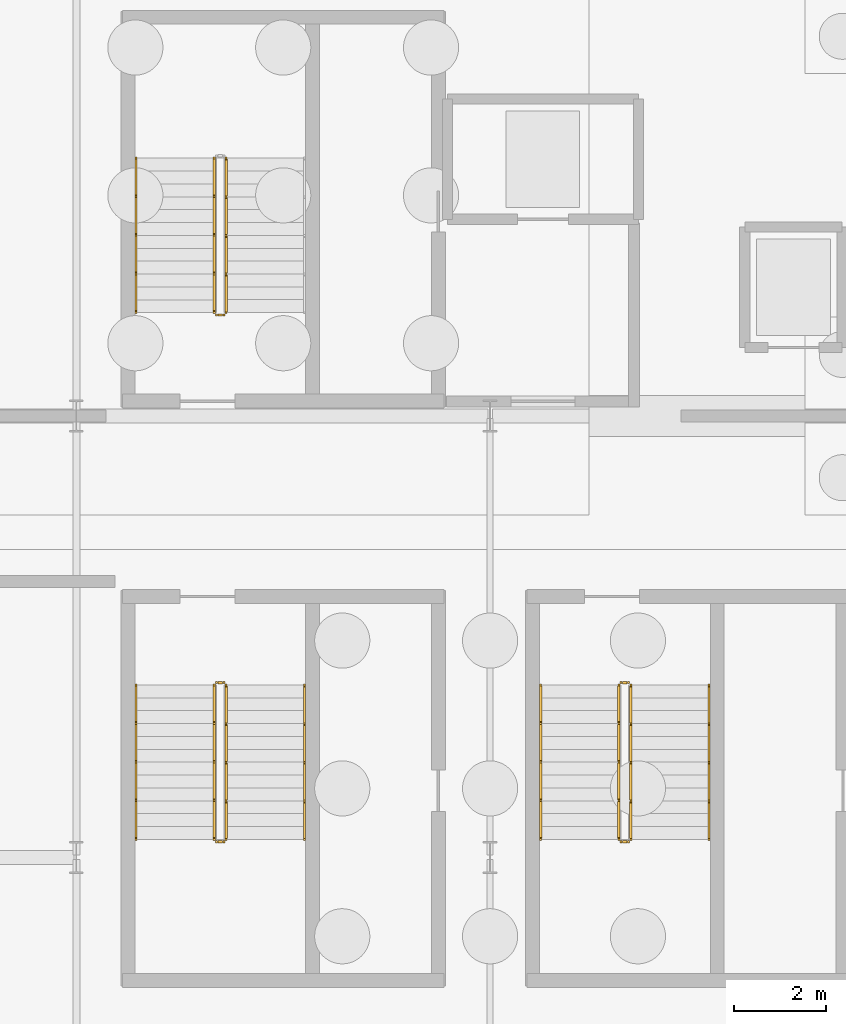
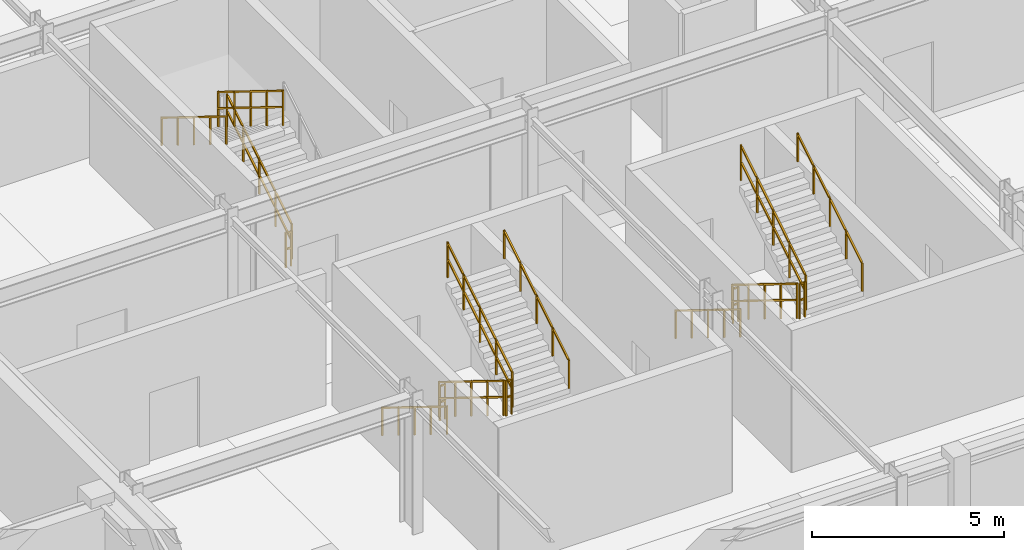
# One storey, part 56 of 59: 16 railings.
"""IFC4 building model written with IfcOpenShell, lengths in metres."""

import ifcopenshell
import ifcopenshell.guid

model = None  # the IFC model being written
_history = None  # IfcOwnerHistory: only IFC2X3 demands one
_inside = {}  # id of a spatial element -> (the spatial element, [elements in it])
_under = {}  # id of a project, library or spatial element -> (it, [spatial elements below it])
_declared = {}  # id of a project -> (the project, [libraries it declares])
_typed = {}  # id of a type object -> (the type object, [elements of that type])
_made_of = {}  # id of a material, layer set ... -> (it, [elements and type objects made of it])


def new_model(schema):
    """Start an empty IFC model of exactly this schema.

    Asked for "IFC4X3", IfcOpenShell would pick the latest addendum, in which some entities
    have other attributes; the version numbers below select the first issue.
    IFC2X3 requires an IfcOwnerHistory on every rooted entity: one is made here for all.
    """
    global model, _history
    if schema == "IFC4X3":
        model = ifcopenshell.file(schema_version=(4, 3, 0, 0))
    else:
        model = ifcopenshell.file(schema=schema)
    _inside.clear()
    _under.clear()
    _declared.clear()
    _typed.clear()
    _made_of.clear()
    _history = None
    if model.schema == "IFC2X3":
        org = make("IfcOrganization", Name="unknown")
        user = make(
            "IfcPersonAndOrganization",
            ThePerson=make("IfcPerson", FamilyName="unknown"),
            TheOrganization=org,
        )
        app = make(
            "IfcApplication",
            ApplicationDeveloper=org,
            Version="unknown",
            ApplicationFullName="unknown",
            ApplicationIdentifier="unknown",
        )
        _history = make(
            "IfcOwnerHistory",
            OwningUser=user,
            OwningApplication=app,
            ChangeAction="ADDED",
            CreationDate=0,
        )
    return model


def make(cls, **values):
    """One entity of the class cls with the attributes given. An attribute that is None is left unset."""
    return model.create_entity(
        cls, **{name: value for name, value in values.items() if value is not None}
    )


def rooted(cls, **values):
    """An entity with a GlobalId (a new one), such as an element, a storey or a relation."""
    return make(cls, GlobalId=ifcopenshell.guid.new(), OwnerHistory=_history, **values)


def si_unit(unit_type, name, prefix=None):
    """IfcSIUnit, for example si_unit("LENGTHUNIT", "METRE", prefix="MILLI")."""
    return make("IfcSIUnit", UnitType=unit_type, Prefix=prefix, Name=name)


def assignment(units):
    """IfcUnitAssignment: the units of a project."""
    return None if units is None else make("IfcUnitAssignment", Units=units)


def point(xyz):
    """IfcCartesianPoint."""
    return None if xyz is None else make("IfcCartesianPoint", Coordinates=xyz)


def direction(xyz):
    """IfcDirection."""
    return None if xyz is None else make("IfcDirection", DirectionRatios=xyz)


def frame(location, z_axis=None, x_axis=None):
    """IfcAxis2Placement3D, a coordinate frame: its origin and axes. An axis left out is left unset."""
    return make(
        "IfcAxis2Placement3D",
        Location=point(location),
        Axis=direction(z_axis),
        RefDirection=direction(x_axis),
    )


def frame_2d(location, x_axis=None):
    """IfcAxis2Placement2D, a coordinate frame in the plane: its origin and x axis."""
    return make(
        "IfcAxis2Placement2D", Location=point(location), RefDirection=direction(x_axis)
    )


def origin():
    """The frame at (0, 0, 0) with its axes left unset."""
    return frame((0.0, 0.0, 0.0))


def origin_2d():
    """The frame at (0, 0) in the plane with its x axis left unset."""
    return frame_2d((0.0, 0.0))


def place(relative_to, where):
    """IfcLocalPlacement: puts the frame where relative to a parent placement (None: the world)."""
    return make(
        "IfcLocalPlacement", PlacementRelTo=relative_to, RelativePlacement=where
    )


def context(
    kind, dimensions, precision=None, world=None, true_north=None, identifier=None
):
    """IfcGeometricRepresentationContext, for example the 3D "Model" context."""
    return make(
        "IfcGeometricRepresentationContext",
        ContextIdentifier=identifier,
        ContextType=kind,
        CoordinateSpaceDimension=dimensions,
        Precision=precision,
        WorldCoordinateSystem=world,
        TrueNorth=true_north,
    )


def subcontext(parent, identifier, kind, view, scale=None):
    """IfcGeometricRepresentationSubContext, for example "Body" below "Model"."""
    return make(
        "IfcGeometricRepresentationSubContext",
        ContextIdentifier=identifier,
        ContextType=kind,
        ParentContext=parent,
        TargetScale=scale,
        TargetView=view,
    )


def project(units=None, contexts=None):
    """IfcProject with its units and contexts."""
    return rooted(
        "IfcProject",
        Name="project",
        RepresentationContexts=contexts,
        UnitsInContext=assignment(units),
    )


def spatial(cls, under=None, at=None, **own):
    """A site, building, storey or space (cls), placed at a placement, below another one or the project."""
    s = rooted(cls, ObjectPlacement=at, **own)
    if under is not None:
        _under.setdefault(under.id(), (under, []))[1].append(s)
    return s


def profile(cls, at=None, kind="AREA", **sizes):
    """A parametric profile (cls). Its sizes go by their IFC names, for example OverallWidth=200.0."""
    return make(cls, ProfileType=kind, Position=at, **sizes)


def rectangle(**sizes):
    """IfcRectangleProfileDef."""
    return profile("IfcRectangleProfileDef", **sizes)


def extrude(swept, where, along, depth):
    """IfcExtrudedAreaSolid: the profile swept, set in the frame where, extruded along a direction by depth."""
    return make(
        "IfcExtrudedAreaSolid",
        SweptArea=swept,
        Position=where,
        ExtrudedDirection=direction(along),
        Depth=depth,
    )


def shape(context_of_items, identifier, shape_type, items):
    """IfcShapeRepresentation: the items that make up one representation, for example the "Body"."""
    return make(
        "IfcShapeRepresentation",
        ContextOfItems=context_of_items,
        RepresentationIdentifier=identifier,
        RepresentationType=shape_type,
        Items=items,
    )


def material(Name=None, Category=None):
    """IfcMaterial."""
    return make("IfcMaterial", Name=Name, Category=Category)


def made_of(thing, what):
    """Note that an element or type object is made of a material, layer set ...; save() writes the relation."""
    if what is not None:
        _made_of.setdefault(what.id(), (what, []))[1].append(thing)
    return thing


def type_object(cls, material=None, **own):
    """A type object (cls), such as IfcWallType, which elements share."""
    return made_of(rooted(cls, **own), material)


def element(
    cls,
    number,
    at=None,
    inside=None,
    cuts=None,
    type_object=None,
    material=None,
    context=None,
    identifier="Body",
    shape_type=None,
    held_by="IfcProductDefinitionShape",
    body=None,
    shapes=None,
    **own,
):
    """One element of the class cls, such as IfcWall. Its Tag is "e" and its number.

    at: its placement. inside: the storey or other place that contains it. cuts: it is an
    opening in that element (IfcRelVoidsElement). A single representation is given by context,
    identifier, shape_type and body (its items); several are given by shapes. held_by: the class
    of the entity that holds the representations. save() writes the other relations.
    """
    e = rooted(cls, Tag="e%d" % number, ObjectPlacement=at, **own)
    if body is not None:
        shapes = [shape(context, identifier, shape_type, body)]
    if shapes is not None:
        e.Representation = make(held_by, Representations=shapes)
    if inside is not None:
        _inside.setdefault(inside.id(), (inside, []))[1].append(e)
    if cuts is not None:
        rooted(
            "IfcRelVoidsElement", RelatingBuildingElement=cuts, RelatedOpeningElement=e
        )
    if type_object is not None:
        _typed.setdefault(type_object.id(), (type_object, []))[1].append(e)
    return made_of(e, material)


def aggregate(whole, parts):
    """IfcRelAggregates: a whole, such as a stair, and the parts it consists of."""
    return rooted("IfcRelAggregates", RelatingObject=whole, RelatedObjects=parts)


def save(model, path):
    """Write the relations noted so far, then the file.

    IfcRelAggregates (storeys below a building ...), IfcRelContainedInSpatialStructure (elements
    in a storey), IfcRelDefinesByType, IfcRelAssociatesMaterial and IfcRelDeclares: one each for
    every whole, place, type object, material and project.
    """
    for whole, parts in _under.values():
        aggregate(whole, parts)
    for where, things in _inside.values():
        rooted(
            "IfcRelContainedInSpatialStructure",
            RelatedElements=things,
            RelatingStructure=where,
        )
    for kind, things in _typed.values():
        rooted("IfcRelDefinesByType", RelatedObjects=things, RelatingType=kind)
    for what, things in _made_of.values():
        rooted("IfcRelAssociatesMaterial", RelatedObjects=things, RelatingMaterial=what)
    for by, libraries in _declared.values():
        rooted("IfcRelDeclares", RelatingContext=by, RelatedDefinitions=libraries)
    model.write(path)


model = new_model("IFC4")

# Units and contexts
model_context = context("Model", 3, precision=1e-05, world=origin(), true_north=direction((0.0, 1.0)))
body_context = subcontext(model_context, "Body", "Model", "MODEL_VIEW")
ifc_project = project(units=[si_unit("LENGTHUNIT", "METRE"), si_unit("AREAUNIT", "SQUARE_METRE"), si_unit("VOLUMEUNIT", "CUBIC_METRE"), si_unit("PLANEANGLEUNIT", "RADIAN"), si_unit("MASSUNIT", "GRAM", prefix="KILO")], contexts=[model_context])

# Site, building, storey
site_placement = place(None, origin())
site = spatial("IfcSite", under=ifc_project, at=site_placement, CompositionType="ELEMENT")
building_placement = place(site_placement, origin())
building = spatial("IfcBuilding", under=site, at=building_placement, Name="Myrtia Square Station", CompositionType="ELEMENT")
storey_placement = place(building_placement, frame((0.0, 0.0, -4.5)))
storey = spatial("IfcBuildingStorey", under=building, at=storey_placement, Name="B01", CompositionType="ELEMENT", Elevation=-4.5)

# Railings
ifc_material_1 = material(Name="Dark bronze anodised aluminium", Category="aluminium")
railing_type_1 = type_object("IfcRailingType", Name="RL-HANDRAIL-900", PredefinedType="HANDRAIL", material=ifc_material_1)
railing_1_placement = place(storey_placement, frame((127.300048828125, 111.2099609375, 2.423095703125)))
element("IfcRailing", 1, at=railing_1_placement, inside=storey, type_object=railing_type_1, Name="B01 ST07 stair handrail 2", PredefinedType="HANDRAIL", context=body_context, shape_type="SweptSolid", body=[
    extrude(rectangle(XDim=0.048095703125, YDim=0.048095703125, at=origin_2d()), frame((0.0, -0.029541015625, 0.89404296875), z_axis=(0.0, -0.850606129759, 0.525803396734), x_axis=(1.0, 0.0, 0.0)), (0.0, 0.0, 1.0), 0.918212890625),
    extrude(rectangle(XDim=0.048095703125, YDim=0.048095703125, at=origin_2d()), frame((0.0, -0.869384765625, 1.413330078125), z_axis=(0.0, -0.850606129759, 0.525803396734), x_axis=(1.0, 0.0, 0.0)), (0.0, 0.0, 1.0), 0.918212890625),
    extrude(rectangle(XDim=0.048095703125, YDim=0.048095703125, at=origin_2d()), frame((0.0, -1.70947265625, 1.9326171875), z_axis=(0.0, -0.850606129759, 0.525803396734), x_axis=(1.0, 0.0, 0.0)), (0.0, 0.0, 1.0), 0.918212890625),
    extrude(rectangle(XDim=0.048095703125, YDim=0.048095703125, at=origin_2d()), frame((0.0, -2.54931640625, 2.45166015625), z_axis=(0.0, -0.850606129759, 0.525803396734), x_axis=(1.0, 0.0, 0.0)), (0.0, 0.0, 1.0), 0.918212890625),
    extrude(rectangle(XDim=0.0439453125, YDim=0.0439453125, at=origin_2d()), origin(), (0.0, 0.0, 1.0), 0.89990234375),
    extrude(rectangle(XDim=0.0439453125, YDim=0.0439453125, at=origin_2d()), frame((0.0, -0.83984375, 0.519287109375)), (0.0, 0.0, 1.0), 0.89990234375),
    extrude(rectangle(XDim=0.0439453125, YDim=0.0439453125, at=origin_2d()), frame((0.0, -1.679931640625, 1.03857421875)), (0.0, 0.0, 1.0), 0.89990234375),
    extrude(rectangle(XDim=0.0439453125, YDim=0.0439453125, at=origin_2d()), frame((0.0, -2.52001953125, 1.5576171875)), (0.0, 0.0, 1.0), 0.89990234375),
    extrude(rectangle(XDim=0.0439453125, YDim=0.0439453125, at=origin_2d()), frame((0.0, -3.35986328125, 2.076904296875)), (0.0, 0.0, 1.0), 0.89990234375),
])
railing_2_placement = place(storey_placement, frame((127.300048828125, 99.75, 0.173095703125)))
element("IfcRailing", 2, at=railing_2_placement, inside=storey, type_object=railing_type_1, Name="B01 ST12 stair handrail 1", PredefinedType="HANDRAIL", context=body_context, shape_type="SweptSolid", body=[
    extrude(rectangle(XDim=0.048095703125, YDim=0.048095703125, at=origin_2d()), frame((0.0, -0.029541015625, 0.89404296875), z_axis=(0.0, -0.850623216509, 0.525775754039), x_axis=(1.0, 0.0, 0.0)), (0.0, 0.0, 1.0), 0.918212890625),
    extrude(rectangle(XDim=0.048095703125, YDim=0.048095703125, at=origin_2d()), frame((0.0, -0.869384765625, 1.413330078125), z_axis=(0.0, -0.850623216509, 0.525775754039), x_axis=(1.0, 0.0, 0.0)), (0.0, 0.0, 1.0), 0.918212890625),
    extrude(rectangle(XDim=0.048095703125, YDim=0.048095703125, at=origin_2d()), frame((0.0, -1.70947265625, 1.9326171875), z_axis=(0.0, -0.850623216509, 0.525775754039), x_axis=(1.0, 0.0, 0.0)), (0.0, 0.0, 1.0), 0.918212890625),
    extrude(rectangle(XDim=0.048095703125, YDim=0.048095703125, at=origin_2d()), frame((0.0, -2.549560546875, 2.45166015625), z_axis=(0.0, -0.850623216509, 0.525775754039), x_axis=(1.0, 0.0, 0.0)), (0.0, 0.0, 1.0), 0.918212890625),
    extrude(rectangle(XDim=0.0439453125, YDim=0.0439453125, at=origin_2d()), origin(), (0.0, 0.0, 1.0), 0.89990234375),
    extrude(rectangle(XDim=0.0439453125, YDim=0.0439453125, at=origin_2d()), frame((0.0, -0.840087890625, 0.519287109375)), (0.0, 0.0, 1.0), 0.89990234375),
    extrude(rectangle(XDim=0.0439453125, YDim=0.0439453125, at=origin_2d()), frame((0.0, -1.68017578125, 1.03857421875)), (0.0, 0.0, 1.0), 0.89990234375),
    extrude(rectangle(XDim=0.0439453125, YDim=0.0439453125, at=origin_2d()), frame((0.0, -2.52001953125, 1.5576171875)), (0.0, 0.0, 1.0), 0.89990234375),
    extrude(rectangle(XDim=0.0439453125, YDim=0.0439453125, at=origin_2d()), frame((0.0, -3.360107421875, 2.076904296875)), (0.0, 0.0, 1.0), 0.89990234375),
])
railing_3_placement = place(storey_placement, frame((130.9599609375, 96.389892578125, 2.423095703125)))
element("IfcRailing", 3, at=railing_3_placement, inside=storey, type_object=railing_type_1, Name="B01 ST12 stair handrail 2", PredefinedType="HANDRAIL", context=body_context, shape_type="SweptSolid", body=[
    extrude(rectangle(XDim=0.048095703125, YDim=0.048095703125, at=origin_2d()), frame((0.0, 0.029541015625, 0.89404296875), z_axis=(0.0, 0.850623216509, 0.525775754039), x_axis=(-1.0, 0.0, 0.0)), (0.0, 0.0, 1.0), 0.918212890625),
    extrude(rectangle(XDim=0.048095703125, YDim=0.048095703125, at=origin_2d()), frame((0.0, 0.869384765625, 1.413330078125), z_axis=(0.0, 0.850623216509, 0.525775754039), x_axis=(-1.0, 0.0, 0.0)), (0.0, 0.0, 1.0), 0.918212890625),
    extrude(rectangle(XDim=0.048095703125, YDim=0.048095703125, at=origin_2d()), frame((0.0, 1.70947265625, 1.9326171875), z_axis=(0.0, 0.850623216509, 0.525775754039), x_axis=(-1.0, 0.0, 0.0)), (0.0, 0.0, 1.0), 0.918212890625),
    extrude(rectangle(XDim=0.048095703125, YDim=0.048095703125, at=origin_2d()), frame((0.0, 2.549560546875, 2.45166015625), z_axis=(0.0, 0.850623216509, 0.525775754039), x_axis=(-1.0, 0.0, 0.0)), (0.0, 0.0, 1.0), 0.918212890625),
    extrude(rectangle(XDim=0.0439453125, YDim=0.0439453125, at=origin_2d()), origin(), (0.0, 0.0, 1.0), 0.89990234375),
    extrude(rectangle(XDim=0.0439453125, YDim=0.0439453125, at=origin_2d()), frame((0.0, 0.840087890625, 0.519287109375)), (0.0, 0.0, 1.0), 0.89990234375),
    extrude(rectangle(XDim=0.0439453125, YDim=0.0439453125, at=origin_2d()), frame((0.0, 1.68017578125, 1.03857421875)), (0.0, 0.0, 1.0), 0.89990234375),
    extrude(rectangle(XDim=0.0439453125, YDim=0.0439453125, at=origin_2d()), frame((0.0, 2.52001953125, 1.5576171875)), (0.0, 0.0, 1.0), 0.89990234375),
    extrude(rectangle(XDim=0.0439453125, YDim=0.0439453125, at=origin_2d()), frame((0.0, 3.360107421875, 2.076904296875)), (0.0, 0.0, 1.0), 0.89990234375),
])
railing_4_placement = place(storey_placement, frame((136.10009765625, 99.75, 0.173095703125)))
element("IfcRailing", 4, at=railing_4_placement, inside=storey, type_object=railing_type_1, Name="B01 ST13 stair handrail 1", PredefinedType="HANDRAIL", context=body_context, shape_type="SweptSolid", body=[
    extrude(rectangle(XDim=0.048095703125, YDim=0.048095703125, at=origin_2d()), frame((0.0, -0.029541015625, 0.89404296875), z_axis=(0.0, -0.850623216509, 0.525775754039), x_axis=(1.0, 0.0, 0.0)), (0.0, 0.0, 1.0), 0.918212890625),
    extrude(rectangle(XDim=0.048095703125, YDim=0.048095703125, at=origin_2d()), frame((0.0, -0.869384765625, 1.413330078125), z_axis=(0.0, -0.850623216509, 0.525775754039), x_axis=(1.0, 0.0, 0.0)), (0.0, 0.0, 1.0), 0.918212890625),
    extrude(rectangle(XDim=0.048095703125, YDim=0.048095703125, at=origin_2d()), frame((0.0, -1.70947265625, 1.9326171875), z_axis=(0.0, -0.850623216509, 0.525775754039), x_axis=(1.0, 0.0, 0.0)), (0.0, 0.0, 1.0), 0.918212890625),
    extrude(rectangle(XDim=0.048095703125, YDim=0.048095703125, at=origin_2d()), frame((0.0, -2.549560546875, 2.45166015625), z_axis=(0.0, -0.850623216509, 0.525775754039), x_axis=(1.0, 0.0, 0.0)), (0.0, 0.0, 1.0), 0.918212890625),
    extrude(rectangle(XDim=0.0439453125, YDim=0.0439453125, at=origin_2d()), origin(), (0.0, 0.0, 1.0), 0.89990234375),
    extrude(rectangle(XDim=0.0439453125, YDim=0.0439453125, at=origin_2d()), frame((0.0, -0.840087890625, 0.519287109375)), (0.0, 0.0, 1.0), 0.89990234375),
    extrude(rectangle(XDim=0.0439453125, YDim=0.0439453125, at=origin_2d()), frame((0.0, -1.68017578125, 1.03857421875)), (0.0, 0.0, 1.0), 0.89990234375),
    extrude(rectangle(XDim=0.0439453125, YDim=0.0439453125, at=origin_2d()), frame((0.0, -2.52001953125, 1.5576171875)), (0.0, 0.0, 1.0), 0.89990234375),
    extrude(rectangle(XDim=0.0439453125, YDim=0.0439453125, at=origin_2d()), frame((0.0, -3.360107421875, 2.076904296875)), (0.0, 0.0, 1.0), 0.89990234375),
])
railing_5_placement = place(storey_placement, frame((139.760009765625, 96.389892578125, 2.423095703125)))
element("IfcRailing", 5, at=railing_5_placement, inside=storey, type_object=railing_type_1, Name="B01 ST13 stair handrail 2", PredefinedType="HANDRAIL", context=body_context, shape_type="SweptSolid", body=[
    extrude(rectangle(XDim=0.048095703125, YDim=0.048095703125, at=origin_2d()), frame((0.0, 0.029541015625, 0.89404296875), z_axis=(0.0, 0.850623216509, 0.525775754039), x_axis=(-1.0, 0.0, 0.0)), (0.0, 0.0, 1.0), 0.918212890625),
    extrude(rectangle(XDim=0.048095703125, YDim=0.048095703125, at=origin_2d()), frame((0.0, 0.869384765625, 1.413330078125), z_axis=(0.0, 0.850623216509, 0.525775754039), x_axis=(-1.0, 0.0, 0.0)), (0.0, 0.0, 1.0), 0.918212890625),
    extrude(rectangle(XDim=0.048095703125, YDim=0.048095703125, at=origin_2d()), frame((0.0, 1.70947265625, 1.9326171875), z_axis=(0.0, 0.850623216509, 0.525775754039), x_axis=(-1.0, 0.0, 0.0)), (0.0, 0.0, 1.0), 0.918212890625),
    extrude(rectangle(XDim=0.048095703125, YDim=0.048095703125, at=origin_2d()), frame((0.0, 2.549560546875, 2.45166015625), z_axis=(0.0, 0.850623216509, 0.525775754039), x_axis=(-1.0, 0.0, 0.0)), (0.0, 0.0, 1.0), 0.918212890625),
    extrude(rectangle(XDim=0.0439453125, YDim=0.0439453125, at=origin_2d()), origin(), (0.0, 0.0, 1.0), 0.89990234375),
    extrude(rectangle(XDim=0.0439453125, YDim=0.0439453125, at=origin_2d()), frame((0.0, 0.840087890625, 0.519287109375)), (0.0, 0.0, 1.0), 0.89990234375),
    extrude(rectangle(XDim=0.0439453125, YDim=0.0439453125, at=origin_2d()), frame((0.0, 1.68017578125, 1.03857421875)), (0.0, 0.0, 1.0), 0.89990234375),
    extrude(rectangle(XDim=0.0439453125, YDim=0.0439453125, at=origin_2d()), frame((0.0, 2.52001953125, 1.5576171875)), (0.0, 0.0, 1.0), 0.89990234375),
    extrude(rectangle(XDim=0.0439453125, YDim=0.0439453125, at=origin_2d()), frame((0.0, 3.360107421875, 2.076904296875)), (0.0, 0.0, 1.0), 0.89990234375),
])
ifc_material_2 = material(Name="Wrought iron", Category="steel")
railing_type_2 = type_object("IfcRailingType", Name="RL-INT-GUARD-1100", PredefinedType="BALUSTRADE", material=ifc_material_2)
railing_6_placement = place(storey_placement, frame((129.260009765625, 107.85009765625, 0.173095703125)))
element("IfcRailing", 6, at=railing_6_placement, inside=storey, type_object=railing_type_2, Name="B01 ST07 stair guard 1", PredefinedType="BALUSTRADE", context=body_context, shape_type="SweptSolid", body=[
    extrude(rectangle(XDim=0.048095703125, YDim=0.048095703125, at=origin_2d()), frame((0.0, 0.029541015625, 1.1142578125), z_axis=(0.0, 0.850606129759, 0.525803396734), x_axis=(-1.0, 0.0, 0.0)), (0.0, 0.0, 1.0), 0.918212890625),
    extrude(rectangle(XDim=0.048095703125, YDim=0.048095703125, at=origin_2d()), frame((0.0, 0.029541015625, 0.6005859375), z_axis=(0.0, 0.850606129759, 0.525803396734), x_axis=(-1.0, 0.0, 0.0)), (0.0, 0.0, 1.0), 0.918212890625),
    extrude(rectangle(XDim=0.048095703125, YDim=0.048095703125, at=origin_2d()), frame((0.0, 0.869384765625, 1.633544921875), z_axis=(0.0, 0.850606129759, 0.525803396734), x_axis=(-1.0, 0.0, 0.0)), (0.0, 0.0, 1.0), 0.918212890625),
    extrude(rectangle(XDim=0.048095703125, YDim=0.048095703125, at=origin_2d()), frame((0.0, 0.869384765625, 1.119873046875), z_axis=(0.0, 0.850606129759, 0.525803396734), x_axis=(-1.0, 0.0, 0.0)), (0.0, 0.0, 1.0), 0.918212890625),
    extrude(rectangle(XDim=0.048095703125, YDim=0.048095703125, at=origin_2d()), frame((0.0, 1.70947265625, 2.15283203125), z_axis=(0.0, 0.850606129759, 0.525803396734), x_axis=(-1.0, 0.0, 0.0)), (0.0, 0.0, 1.0), 0.918212890625),
    extrude(rectangle(XDim=0.048095703125, YDim=0.048095703125, at=origin_2d()), frame((0.0, 1.70947265625, 1.63916015625), z_axis=(0.0, 0.850606129759, 0.525803396734), x_axis=(-1.0, 0.0, 0.0)), (0.0, 0.0, 1.0), 0.918212890625),
    extrude(rectangle(XDim=0.048095703125, YDim=0.048095703125, at=origin_2d()), frame((0.0, 2.54931640625, 2.671875), z_axis=(0.0, 0.850606129759, 0.525803396734), x_axis=(-1.0, 0.0, 0.0)), (0.0, 0.0, 1.0), 0.918212890625),
    extrude(rectangle(XDim=0.048095703125, YDim=0.048095703125, at=origin_2d()), frame((0.0, 2.54931640625, 2.158447265625), z_axis=(0.0, 0.850606129759, 0.525803396734), x_axis=(-1.0, 0.0, 0.0)), (0.0, 0.0, 1.0), 0.918212890625),
    extrude(rectangle(XDim=0.0439453125, YDim=0.0439453125, at=origin_2d()), origin(), (0.0, 0.0, 1.0), 1.1201171875),
    extrude(rectangle(XDim=0.0439453125, YDim=0.0439453125, at=origin_2d()), frame((0.0, 0.83984375, 0.519287109375)), (0.0, 0.0, 1.0), 1.1201171875),
    extrude(rectangle(XDim=0.0439453125, YDim=0.0439453125, at=origin_2d()), frame((0.0, 1.679931640625, 1.03857421875)), (0.0, 0.0, 1.0), 1.1201171875),
    extrude(rectangle(XDim=0.0439453125, YDim=0.0439453125, at=origin_2d()), frame((0.0, 2.52001953125, 1.5576171875)), (0.0, 0.0, 1.0), 1.1201171875),
    extrude(rectangle(XDim=0.0439453125, YDim=0.0439453125, at=origin_2d()), frame((0.0, 3.35986328125, 2.076904296875)), (0.0, 0.0, 1.0), 1.1201171875),
])
railing_7_placement = place(storey_placement, frame((129.0, 111.2099609375, 2.423095703125)))
element("IfcRailing", 7, at=railing_7_placement, inside=storey, type_object=railing_type_2, Name="B01 ST07 stair guard 3", PredefinedType="BALUSTRADE", context=body_context, shape_type="SweptSolid", body=[
    extrude(rectangle(XDim=0.048095703125, YDim=0.048095703125, at=origin_2d()), frame((0.0, -0.029541015625, 1.1142578125), z_axis=(0.0, -0.850606129759, 0.525803396734), x_axis=(1.0, 0.0, 0.0)), (0.0, 0.0, 1.0), 0.918212890625),
    extrude(rectangle(XDim=0.048095703125, YDim=0.048095703125, at=origin_2d()), frame((0.0, -0.029541015625, 0.6005859375), z_axis=(0.0, -0.850606129759, 0.525803396734), x_axis=(1.0, 0.0, 0.0)), (0.0, 0.0, 1.0), 0.918212890625),
    extrude(rectangle(XDim=0.048095703125, YDim=0.048095703125, at=origin_2d()), frame((0.0, -0.869384765625, 1.633544921875), z_axis=(0.0, -0.850606129759, 0.525803396734), x_axis=(1.0, 0.0, 0.0)), (0.0, 0.0, 1.0), 0.918212890625),
    extrude(rectangle(XDim=0.048095703125, YDim=0.048095703125, at=origin_2d()), frame((0.0, -0.869384765625, 1.119873046875), z_axis=(0.0, -0.850606129759, 0.525803396734), x_axis=(1.0, 0.0, 0.0)), (0.0, 0.0, 1.0), 0.918212890625),
    extrude(rectangle(XDim=0.048095703125, YDim=0.048095703125, at=origin_2d()), frame((0.0, -1.70947265625, 2.15283203125), z_axis=(0.0, -0.850606129759, 0.525803396734), x_axis=(1.0, 0.0, 0.0)), (0.0, 0.0, 1.0), 0.918212890625),
    extrude(rectangle(XDim=0.048095703125, YDim=0.048095703125, at=origin_2d()), frame((0.0, -1.70947265625, 1.63916015625), z_axis=(0.0, -0.850606129759, 0.525803396734), x_axis=(1.0, 0.0, 0.0)), (0.0, 0.0, 1.0), 0.918212890625),
    extrude(rectangle(XDim=0.048095703125, YDim=0.048095703125, at=origin_2d()), frame((0.0, -2.54931640625, 2.671875), z_axis=(0.0, -0.850606129759, 0.525803396734), x_axis=(1.0, 0.0, 0.0)), (0.0, 0.0, 1.0), 0.918212890625),
    extrude(rectangle(XDim=0.048095703125, YDim=0.048095703125, at=origin_2d()), frame((0.0, -2.54931640625, 2.158447265625), z_axis=(0.0, -0.850606129759, 0.525803396734), x_axis=(1.0, 0.0, 0.0)), (0.0, 0.0, 1.0), 0.918212890625),
    extrude(rectangle(XDim=0.0439453125, YDim=0.0439453125, at=origin_2d()), origin(), (0.0, 0.0, 1.0), 1.1201171875),
    extrude(rectangle(XDim=0.0439453125, YDim=0.0439453125, at=origin_2d()), frame((0.0, -0.83984375, 0.519287109375)), (0.0, 0.0, 1.0), 1.1201171875),
    extrude(rectangle(XDim=0.0439453125, YDim=0.0439453125, at=origin_2d()), frame((0.0, -1.679931640625, 1.03857421875)), (0.0, 0.0, 1.0), 1.1201171875),
    extrude(rectangle(XDim=0.0439453125, YDim=0.0439453125, at=origin_2d()), frame((0.0, -2.52001953125, 1.5576171875)), (0.0, 0.0, 1.0), 1.1201171875),
    extrude(rectangle(XDim=0.0439453125, YDim=0.0439453125, at=origin_2d()), frame((0.0, -3.35986328125, 2.076904296875)), (0.0, 0.0, 1.0), 1.1201171875),
])
railing_8_placement = place(storey_placement, frame((129.2099609375, 107.800048828125, 0.0)))
element("IfcRailing", 8, at=railing_8_placement, inside=storey, type_object=railing_type_2, Name="B01 ST07 stair guard 4", PredefinedType="BALUSTRADE", context=body_context, shape_type="SweptSolid", body=[
    extrude(rectangle(XDim=0.048095703125, YDim=0.048095703125, at=origin_2d()), frame((-0.03466796875, 0.0, 1.09619140625), z_axis=(-1.0, 0.0, 0.0), x_axis=(0.0, -1.0, 0.0)), (0.0, 0.0, 1.0), 0.090576171875),
    extrude(rectangle(XDim=0.048095703125, YDim=0.048095703125, at=origin_2d()), frame((-0.03466796875, 0.0, 0.58251953125), z_axis=(-1.0, 0.0, 0.0), x_axis=(0.0, -1.0, 0.0)), (0.0, 0.0, 1.0), 0.090576171875),
    extrude(rectangle(XDim=0.0439453125, YDim=0.0439453125, at=origin_2d()), origin(), (0.0, 0.0, 1.0), 1.1201171875),
    extrude(rectangle(XDim=0.0439453125, YDim=0.0439453125, at=origin_2d()), frame((-0.159912109375, 0.0, 0.0)), (0.0, 0.0, 1.0), 1.1201171875),
])
railing_9_placement = place(storey_placement, frame((129.0, 99.75, 0.173095703125)))
element("IfcRailing", 9, at=railing_9_placement, inside=storey, type_object=railing_type_2, Name="B01 ST12 stair guard 1", PredefinedType="BALUSTRADE", context=body_context, shape_type="SweptSolid", body=[
    extrude(rectangle(XDim=0.048095703125, YDim=0.048095703125, at=origin_2d()), frame((0.0, -0.029541015625, 1.1142578125), z_axis=(0.0, -0.850623216509, 0.525775754039), x_axis=(1.0, 0.0, 0.0)), (0.0, 0.0, 1.0), 0.918212890625),
    extrude(rectangle(XDim=0.048095703125, YDim=0.048095703125, at=origin_2d()), frame((0.0, -0.029541015625, 0.6005859375), z_axis=(0.0, -0.850623216509, 0.525775754039), x_axis=(1.0, 0.0, 0.0)), (0.0, 0.0, 1.0), 0.918212890625),
    extrude(rectangle(XDim=0.048095703125, YDim=0.048095703125, at=origin_2d()), frame((0.0, -0.869384765625, 1.633544921875), z_axis=(0.0, -0.850623216509, 0.525775754039), x_axis=(1.0, 0.0, 0.0)), (0.0, 0.0, 1.0), 0.918212890625),
    extrude(rectangle(XDim=0.048095703125, YDim=0.048095703125, at=origin_2d()), frame((0.0, -0.869384765625, 1.119873046875), z_axis=(0.0, -0.850623216509, 0.525775754039), x_axis=(1.0, 0.0, 0.0)), (0.0, 0.0, 1.0), 0.918212890625),
    extrude(rectangle(XDim=0.048095703125, YDim=0.048095703125, at=origin_2d()), frame((0.0, -1.70947265625, 2.15283203125), z_axis=(0.0, -0.850623216509, 0.525775754039), x_axis=(1.0, 0.0, 0.0)), (0.0, 0.0, 1.0), 0.918212890625),
    extrude(rectangle(XDim=0.048095703125, YDim=0.048095703125, at=origin_2d()), frame((0.0, -1.70947265625, 1.63916015625), z_axis=(0.0, -0.850623216509, 0.525775754039), x_axis=(1.0, 0.0, 0.0)), (0.0, 0.0, 1.0), 0.918212890625),
    extrude(rectangle(XDim=0.048095703125, YDim=0.048095703125, at=origin_2d()), frame((0.0, -2.549560546875, 2.671875), z_axis=(0.0, -0.850623216509, 0.525775754039), x_axis=(1.0, 0.0, 0.0)), (0.0, 0.0, 1.0), 0.918212890625),
    extrude(rectangle(XDim=0.048095703125, YDim=0.048095703125, at=origin_2d()), frame((0.0, -2.549560546875, 2.158447265625), z_axis=(0.0, -0.850623216509, 0.525775754039), x_axis=(1.0, 0.0, 0.0)), (0.0, 0.0, 1.0), 0.918212890625),
    extrude(rectangle(XDim=0.0439453125, YDim=0.0439453125, at=origin_2d()), origin(), (0.0, 0.0, 1.0), 1.1201171875),
    extrude(rectangle(XDim=0.0439453125, YDim=0.0439453125, at=origin_2d()), frame((0.0, -0.840087890625, 0.519287109375)), (0.0, 0.0, 1.0), 1.1201171875),
    extrude(rectangle(XDim=0.0439453125, YDim=0.0439453125, at=origin_2d()), frame((0.0, -1.68017578125, 1.03857421875)), (0.0, 0.0, 1.0), 1.1201171875),
    extrude(rectangle(XDim=0.0439453125, YDim=0.0439453125, at=origin_2d()), frame((0.0, -2.52001953125, 1.5576171875)), (0.0, 0.0, 1.0), 1.1201171875),
    extrude(rectangle(XDim=0.0439453125, YDim=0.0439453125, at=origin_2d()), frame((0.0, -3.360107421875, 2.076904296875)), (0.0, 0.0, 1.0), 1.1201171875),
])
railing_10_placement = place(storey_placement, frame((129.050048828125, 96.340087890625, 2.25)))
element("IfcRailing", 10, at=railing_10_placement, inside=storey, type_object=railing_type_2, Name="B01 ST12 stair guard 2", PredefinedType="BALUSTRADE", context=body_context, shape_type="SweptSolid", body=[
    extrude(rectangle(XDim=0.048095703125, YDim=0.048095703125, at=origin_2d()), frame((0.03466796875, 0.0, 1.09619140625), z_axis=(1.0, 0.0, 0.0), x_axis=(0.0, 1.0, 0.0)), (0.0, 0.0, 1.0), 0.090576171875),
    extrude(rectangle(XDim=0.048095703125, YDim=0.048095703125, at=origin_2d()), frame((0.03466796875, 0.0, 0.58251953125), z_axis=(1.0, 0.0, 0.0), x_axis=(0.0, 1.0, 0.0)), (0.0, 0.0, 1.0), 0.090576171875),
    extrude(rectangle(XDim=0.0439453125, YDim=0.0439453125, at=origin_2d()), origin(), (0.0, 0.0, 1.0), 1.1201171875),
    extrude(rectangle(XDim=0.0439453125, YDim=0.0439453125, at=origin_2d()), frame((0.159912109375, 0.0, 0.0)), (0.0, 0.0, 1.0), 1.1201171875),
])
railing_11_placement = place(storey_placement, frame((129.260009765625, 96.389892578125, 2.423095703125)))
element("IfcRailing", 11, at=railing_11_placement, inside=storey, type_object=railing_type_2, Name="B01 ST12 stair guard 3", PredefinedType="BALUSTRADE", context=body_context, shape_type="SweptSolid", body=[
    extrude(rectangle(XDim=0.048095703125, YDim=0.048095703125, at=origin_2d()), frame((0.0, 0.029541015625, 1.1142578125), z_axis=(0.0, 0.850623216509, 0.525775754039), x_axis=(-1.0, 0.0, 0.0)), (0.0, 0.0, 1.0), 0.918212890625),
    extrude(rectangle(XDim=0.048095703125, YDim=0.048095703125, at=origin_2d()), frame((0.0, 0.029541015625, 0.6005859375), z_axis=(0.0, 0.850623216509, 0.525775754039), x_axis=(-1.0, 0.0, 0.0)), (0.0, 0.0, 1.0), 0.918212890625),
    extrude(rectangle(XDim=0.048095703125, YDim=0.048095703125, at=origin_2d()), frame((0.0, 0.869384765625, 1.633544921875), z_axis=(0.0, 0.850623216509, 0.525775754039), x_axis=(-1.0, 0.0, 0.0)), (0.0, 0.0, 1.0), 0.918212890625),
    extrude(rectangle(XDim=0.048095703125, YDim=0.048095703125, at=origin_2d()), frame((0.0, 0.869384765625, 1.119873046875), z_axis=(0.0, 0.850623216509, 0.525775754039), x_axis=(-1.0, 0.0, 0.0)), (0.0, 0.0, 1.0), 0.918212890625),
    extrude(rectangle(XDim=0.048095703125, YDim=0.048095703125, at=origin_2d()), frame((0.0, 1.70947265625, 2.15283203125), z_axis=(0.0, 0.850623216509, 0.525775754039), x_axis=(-1.0, 0.0, 0.0)), (0.0, 0.0, 1.0), 0.918212890625),
    extrude(rectangle(XDim=0.048095703125, YDim=0.048095703125, at=origin_2d()), frame((0.0, 1.70947265625, 1.63916015625), z_axis=(0.0, 0.850623216509, 0.525775754039), x_axis=(-1.0, 0.0, 0.0)), (0.0, 0.0, 1.0), 0.918212890625),
    extrude(rectangle(XDim=0.048095703125, YDim=0.048095703125, at=origin_2d()), frame((0.0, 2.549560546875, 2.671875), z_axis=(0.0, 0.850623216509, 0.525775754039), x_axis=(-1.0, 0.0, 0.0)), (0.0, 0.0, 1.0), 0.918212890625),
    extrude(rectangle(XDim=0.048095703125, YDim=0.048095703125, at=origin_2d()), frame((0.0, 2.549560546875, 2.158447265625), z_axis=(0.0, 0.850623216509, 0.525775754039), x_axis=(-1.0, 0.0, 0.0)), (0.0, 0.0, 1.0), 0.918212890625),
    extrude(rectangle(XDim=0.0439453125, YDim=0.0439453125, at=origin_2d()), origin(), (0.0, 0.0, 1.0), 1.1201171875),
    extrude(rectangle(XDim=0.0439453125, YDim=0.0439453125, at=origin_2d()), frame((0.0, 0.840087890625, 0.519287109375)), (0.0, 0.0, 1.0), 1.1201171875),
    extrude(rectangle(XDim=0.0439453125, YDim=0.0439453125, at=origin_2d()), frame((0.0, 1.68017578125, 1.03857421875)), (0.0, 0.0, 1.0), 1.1201171875),
    extrude(rectangle(XDim=0.0439453125, YDim=0.0439453125, at=origin_2d()), frame((0.0, 2.52001953125, 1.5576171875)), (0.0, 0.0, 1.0), 1.1201171875),
    extrude(rectangle(XDim=0.0439453125, YDim=0.0439453125, at=origin_2d()), frame((0.0, 3.360107421875, 2.076904296875)), (0.0, 0.0, 1.0), 1.1201171875),
])
railing_12_placement = place(storey_placement, frame((129.050048828125, 99.800048828125, 0.0)))
element("IfcRailing", 12, at=railing_12_placement, inside=storey, type_object=railing_type_2, Name="B01 ST12 stair guard 4", PredefinedType="BALUSTRADE", context=body_context, shape_type="SweptSolid", body=[
    extrude(rectangle(XDim=0.048095703125, YDim=0.048095703125, at=origin_2d()), frame((0.03466796875, 0.0, 1.09619140625), z_axis=(1.0, 0.0, 0.0), x_axis=(0.0, 1.0, 0.0)), (0.0, 0.0, 1.0), 0.090576171875),
    extrude(rectangle(XDim=0.048095703125, YDim=0.048095703125, at=origin_2d()), frame((0.03466796875, 0.0, 0.58251953125), z_axis=(1.0, 0.0, 0.0), x_axis=(0.0, 1.0, 0.0)), (0.0, 0.0, 1.0), 0.090576171875),
    extrude(rectangle(XDim=0.0439453125, YDim=0.0439453125, at=origin_2d()), origin(), (0.0, 0.0, 1.0), 1.1201171875),
    extrude(rectangle(XDim=0.0439453125, YDim=0.0439453125, at=origin_2d()), frame((0.159912109375, 0.0, 0.0)), (0.0, 0.0, 1.0), 1.1201171875),
])
railing_13_placement = place(storey_placement, frame((137.800048828125, 99.75, 0.173095703125)))
element("IfcRailing", 13, at=railing_13_placement, inside=storey, type_object=railing_type_2, Name="B01 ST13 stair guard 1", PredefinedType="BALUSTRADE", context=body_context, shape_type="SweptSolid", body=[
    extrude(rectangle(XDim=0.048095703125, YDim=0.048095703125, at=origin_2d()), frame((0.0, -0.029541015625, 1.1142578125), z_axis=(0.0, -0.850623216509, 0.525775754039), x_axis=(1.0, 0.0, 0.0)), (0.0, 0.0, 1.0), 0.918212890625),
    extrude(rectangle(XDim=0.048095703125, YDim=0.048095703125, at=origin_2d()), frame((0.0, -0.029541015625, 0.6005859375), z_axis=(0.0, -0.850623216509, 0.525775754039), x_axis=(1.0, 0.0, 0.0)), (0.0, 0.0, 1.0), 0.918212890625),
    extrude(rectangle(XDim=0.048095703125, YDim=0.048095703125, at=origin_2d()), frame((0.0, -0.869384765625, 1.633544921875), z_axis=(0.0, -0.850623216509, 0.525775754039), x_axis=(1.0, 0.0, 0.0)), (0.0, 0.0, 1.0), 0.918212890625),
    extrude(rectangle(XDim=0.048095703125, YDim=0.048095703125, at=origin_2d()), frame((0.0, -0.869384765625, 1.119873046875), z_axis=(0.0, -0.850623216509, 0.525775754039), x_axis=(1.0, 0.0, 0.0)), (0.0, 0.0, 1.0), 0.918212890625),
    extrude(rectangle(XDim=0.048095703125, YDim=0.048095703125, at=origin_2d()), frame((0.0, -1.70947265625, 2.15283203125), z_axis=(0.0, -0.850623216509, 0.525775754039), x_axis=(1.0, 0.0, 0.0)), (0.0, 0.0, 1.0), 0.918212890625),
    extrude(rectangle(XDim=0.048095703125, YDim=0.048095703125, at=origin_2d()), frame((0.0, -1.70947265625, 1.63916015625), z_axis=(0.0, -0.850623216509, 0.525775754039), x_axis=(1.0, 0.0, 0.0)), (0.0, 0.0, 1.0), 0.918212890625),
    extrude(rectangle(XDim=0.048095703125, YDim=0.048095703125, at=origin_2d()), frame((0.0, -2.549560546875, 2.671875), z_axis=(0.0, -0.850623216509, 0.525775754039), x_axis=(1.0, 0.0, 0.0)), (0.0, 0.0, 1.0), 0.918212890625),
    extrude(rectangle(XDim=0.048095703125, YDim=0.048095703125, at=origin_2d()), frame((0.0, -2.549560546875, 2.158447265625), z_axis=(0.0, -0.850623216509, 0.525775754039), x_axis=(1.0, 0.0, 0.0)), (0.0, 0.0, 1.0), 0.918212890625),
    extrude(rectangle(XDim=0.0439453125, YDim=0.0439453125, at=origin_2d()), origin(), (0.0, 0.0, 1.0), 1.1201171875),
    extrude(rectangle(XDim=0.0439453125, YDim=0.0439453125, at=origin_2d()), frame((0.0, -0.840087890625, 0.519287109375)), (0.0, 0.0, 1.0), 1.1201171875),
    extrude(rectangle(XDim=0.0439453125, YDim=0.0439453125, at=origin_2d()), frame((0.0, -1.68017578125, 1.03857421875)), (0.0, 0.0, 1.0), 1.1201171875),
    extrude(rectangle(XDim=0.0439453125, YDim=0.0439453125, at=origin_2d()), frame((0.0, -2.52001953125, 1.5576171875)), (0.0, 0.0, 1.0), 1.1201171875),
    extrude(rectangle(XDim=0.0439453125, YDim=0.0439453125, at=origin_2d()), frame((0.0, -3.360107421875, 2.076904296875)), (0.0, 0.0, 1.0), 1.1201171875),
])
railing_14_placement = place(storey_placement, frame((137.85009765625, 96.340087890625, 2.25)))
element("IfcRailing", 14, at=railing_14_placement, inside=storey, type_object=railing_type_2, Name="B01 ST13 stair guard 2", PredefinedType="BALUSTRADE", context=body_context, shape_type="SweptSolid", body=[
    extrude(rectangle(XDim=0.048095703125, YDim=0.048095703125, at=origin_2d()), frame((0.03466796875, 0.0, 1.09619140625), z_axis=(1.0, 0.0, 0.0), x_axis=(0.0, 1.0, 0.0)), (0.0, 0.0, 1.0), 0.090576171875),
    extrude(rectangle(XDim=0.048095703125, YDim=0.048095703125, at=origin_2d()), frame((0.03466796875, 0.0, 0.58251953125), z_axis=(1.0, 0.0, 0.0), x_axis=(0.0, 1.0, 0.0)), (0.0, 0.0, 1.0), 0.090576171875),
    extrude(rectangle(XDim=0.0439453125, YDim=0.0439453125, at=origin_2d()), origin(), (0.0, 0.0, 1.0), 1.1201171875),
    extrude(rectangle(XDim=0.0439453125, YDim=0.0439453125, at=origin_2d()), frame((0.159912109375, 0.0, 0.0)), (0.0, 0.0, 1.0), 1.1201171875),
])
railing_15_placement = place(storey_placement, frame((138.06005859375, 96.389892578125, 2.423095703125)))
element("IfcRailing", 15, at=railing_15_placement, inside=storey, type_object=railing_type_2, Name="B01 ST13 stair guard 3", PredefinedType="BALUSTRADE", context=body_context, shape_type="SweptSolid", body=[
    extrude(rectangle(XDim=0.048095703125, YDim=0.048095703125, at=origin_2d()), frame((0.0, 0.029541015625, 1.1142578125), z_axis=(0.0, 0.850623216509, 0.525775754039), x_axis=(-1.0, 0.0, 0.0)), (0.0, 0.0, 1.0), 0.918212890625),
    extrude(rectangle(XDim=0.048095703125, YDim=0.048095703125, at=origin_2d()), frame((0.0, 0.029541015625, 0.6005859375), z_axis=(0.0, 0.850623216509, 0.525775754039), x_axis=(-1.0, 0.0, 0.0)), (0.0, 0.0, 1.0), 0.918212890625),
    extrude(rectangle(XDim=0.048095703125, YDim=0.048095703125, at=origin_2d()), frame((0.0, 0.869384765625, 1.633544921875), z_axis=(0.0, 0.850623216509, 0.525775754039), x_axis=(-1.0, 0.0, 0.0)), (0.0, 0.0, 1.0), 0.918212890625),
    extrude(rectangle(XDim=0.048095703125, YDim=0.048095703125, at=origin_2d()), frame((0.0, 0.869384765625, 1.119873046875), z_axis=(0.0, 0.850623216509, 0.525775754039), x_axis=(-1.0, 0.0, 0.0)), (0.0, 0.0, 1.0), 0.918212890625),
    extrude(rectangle(XDim=0.048095703125, YDim=0.048095703125, at=origin_2d()), frame((0.0, 1.70947265625, 2.15283203125), z_axis=(0.0, 0.850623216509, 0.525775754039), x_axis=(-1.0, 0.0, 0.0)), (0.0, 0.0, 1.0), 0.918212890625),
    extrude(rectangle(XDim=0.048095703125, YDim=0.048095703125, at=origin_2d()), frame((0.0, 1.70947265625, 1.63916015625), z_axis=(0.0, 0.850623216509, 0.525775754039), x_axis=(-1.0, 0.0, 0.0)), (0.0, 0.0, 1.0), 0.918212890625),
    extrude(rectangle(XDim=0.048095703125, YDim=0.048095703125, at=origin_2d()), frame((0.0, 2.549560546875, 2.671875), z_axis=(0.0, 0.850623216509, 0.525775754039), x_axis=(-1.0, 0.0, 0.0)), (0.0, 0.0, 1.0), 0.918212890625),
    extrude(rectangle(XDim=0.048095703125, YDim=0.048095703125, at=origin_2d()), frame((0.0, 2.549560546875, 2.158447265625), z_axis=(0.0, 0.850623216509, 0.525775754039), x_axis=(-1.0, 0.0, 0.0)), (0.0, 0.0, 1.0), 0.918212890625),
    extrude(rectangle(XDim=0.0439453125, YDim=0.0439453125, at=origin_2d()), origin(), (0.0, 0.0, 1.0), 1.1201171875),
    extrude(rectangle(XDim=0.0439453125, YDim=0.0439453125, at=origin_2d()), frame((0.0, 0.840087890625, 0.519287109375)), (0.0, 0.0, 1.0), 1.1201171875),
    extrude(rectangle(XDim=0.0439453125, YDim=0.0439453125, at=origin_2d()), frame((0.0, 1.68017578125, 1.03857421875)), (0.0, 0.0, 1.0), 1.1201171875),
    extrude(rectangle(XDim=0.0439453125, YDim=0.0439453125, at=origin_2d()), frame((0.0, 2.52001953125, 1.5576171875)), (0.0, 0.0, 1.0), 1.1201171875),
    extrude(rectangle(XDim=0.0439453125, YDim=0.0439453125, at=origin_2d()), frame((0.0, 3.360107421875, 2.076904296875)), (0.0, 0.0, 1.0), 1.1201171875),
])
railing_16_placement = place(storey_placement, frame((137.85009765625, 99.800048828125, 0.0)))
element("IfcRailing", 16, at=railing_16_placement, inside=storey, type_object=railing_type_2, Name="B01 ST13 stair guard 4", PredefinedType="BALUSTRADE", context=body_context, shape_type="SweptSolid", body=[
    extrude(rectangle(XDim=0.048095703125, YDim=0.048095703125, at=origin_2d()), frame((0.03466796875, 0.0, 1.09619140625), z_axis=(1.0, 0.0, 0.0), x_axis=(0.0, 1.0, 0.0)), (0.0, 0.0, 1.0), 0.090576171875),
    extrude(rectangle(XDim=0.048095703125, YDim=0.048095703125, at=origin_2d()), frame((0.03466796875, 0.0, 0.58251953125), z_axis=(1.0, 0.0, 0.0), x_axis=(0.0, 1.0, 0.0)), (0.0, 0.0, 1.0), 0.090576171875),
    extrude(rectangle(XDim=0.0439453125, YDim=0.0439453125, at=origin_2d()), origin(), (0.0, 0.0, 1.0), 1.1201171875),
    extrude(rectangle(XDim=0.0439453125, YDim=0.0439453125, at=origin_2d()), frame((0.159912109375, 0.0, 0.0)), (0.0, 0.0, 1.0), 1.1201171875),
])

save(model, "model.ifc")
